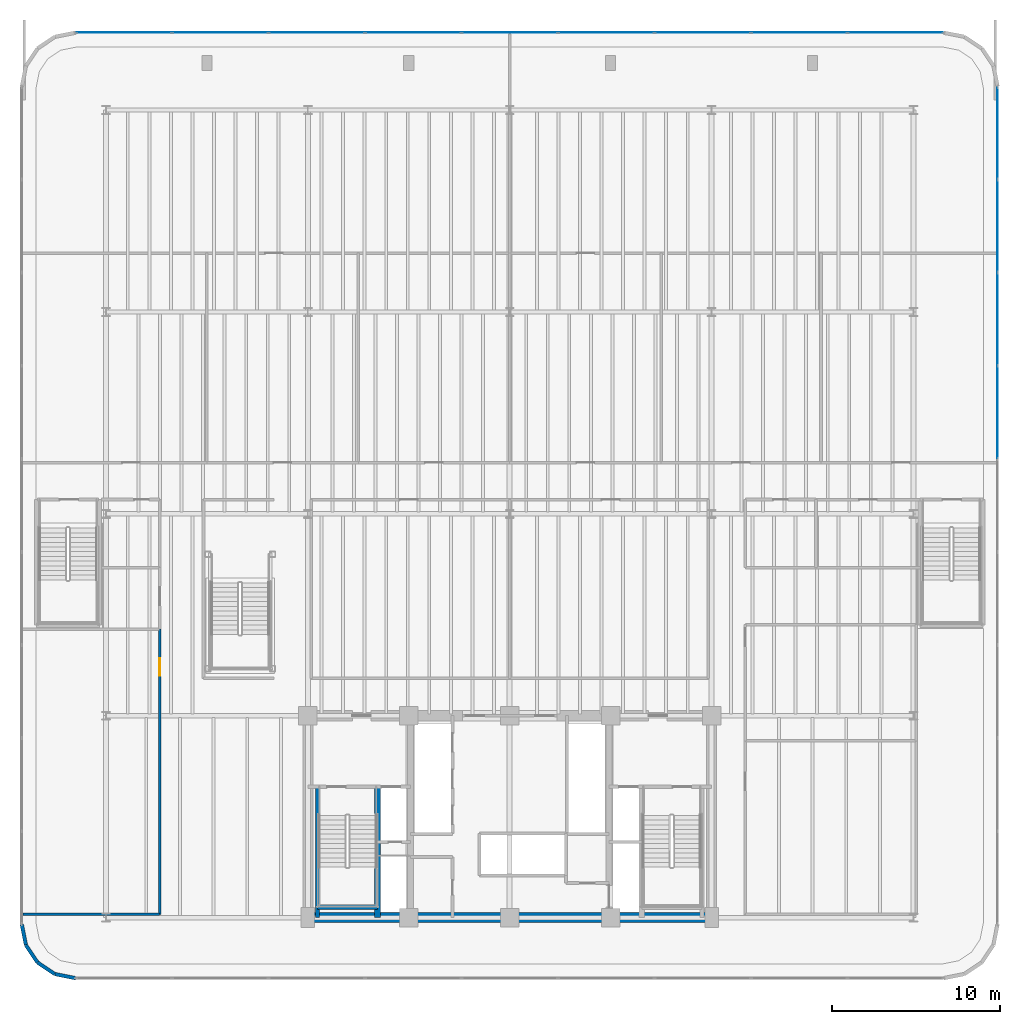
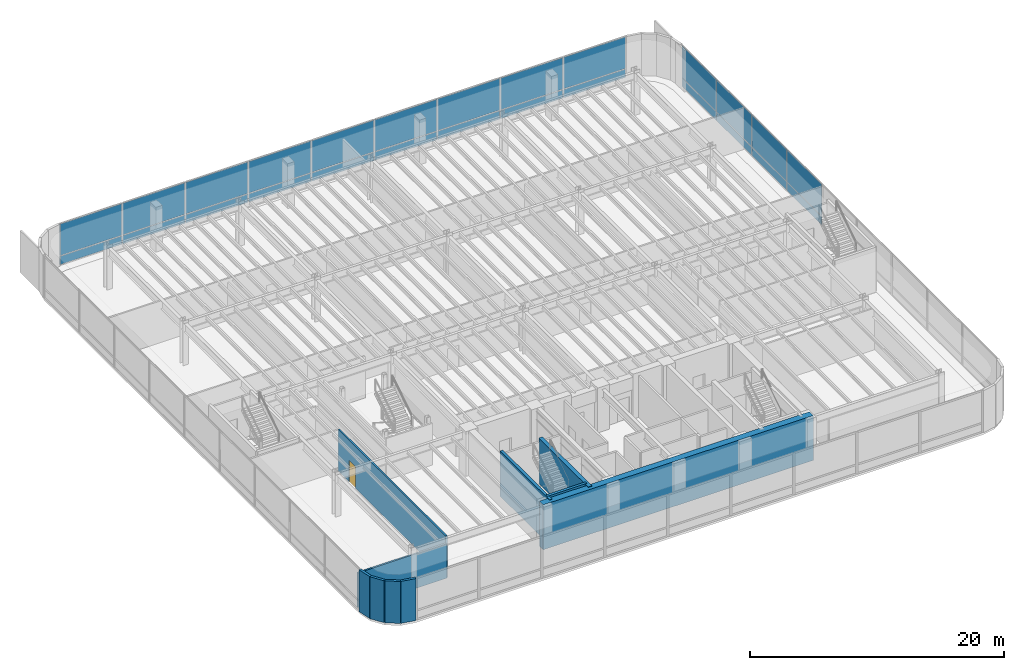
# One storey, part 11 of 18: 26 plates, 10 walls, 1 door, 1 opening, 2 elements without a shape of their own.
"""IFC4 building model written with IfcOpenShell, lengths in metres."""

from ifc_helpers import new_model, si_unit, direction, frame, frame_2d, origin, origin_2d, place, context, subcontext, project, spatial, rectangle, extrude, source, transform, mapped, material, layer, layer_set, type_object, element, fill, aggregate, save


model = new_model("IFC4")

# Units and contexts
model_context = context("Model", 3, precision=1e-05, world=origin(), true_north=direction((0.0, 1.0)))
body_context = subcontext(model_context, "Body", "Model", "MODEL_VIEW")
ifc_project = project(units=[si_unit("LENGTHUNIT", "METRE"), si_unit("AREAUNIT", "SQUARE_METRE"), si_unit("VOLUMEUNIT", "CUBIC_METRE"), si_unit("PLANEANGLEUNIT", "RADIAN"), si_unit("MASSUNIT", "GRAM", prefix="KILO")], contexts=[model_context])

# Site, building, storey
site_placement = place(None, origin())
site = spatial("IfcSite", under=ifc_project, at=site_placement, CompositionType="ELEMENT")
building_placement = place(site_placement, origin())
building = spatial("IfcBuilding", under=site, at=building_placement, Name="Brelvock Crest Care Tower", CompositionType="ELEMENT")
storey_placement = place(building_placement, frame((0.0, 0.0, 9.719970703125)))
storey = spatial("IfcBuildingStorey", under=building, at=storey_placement, Name="L02", CompositionType="ELEMENT", Elevation=9.719970703125)

# Curtain wall, plates
ifc_material_1 = material(Name="Dark Glass Double Glazed Low-E", Category="glass")
ifc_layer_1 = layer(ifc_material_1, 0.179931640625, Name="CWS-1")
ifc_layer_set_1 = layer_set([ifc_layer_1], Name="Dark Glass Double Glazed Low-E")
curtain_wall_type = type_object("IfcCurtainWallType", Name="CWS-1", PredefinedType="NOTDEFINED", material=ifc_layer_set_1)
curtain_wall_1_placement = place(storey_placement, origin())
curtain_wall_1 = element("IfcCurtainWall", 1, at=curtain_wall_1_placement, inside=storey, type_object=curtain_wall_type, Name="L02 Curtain Wall E14", PredefinedType="NOTDEFINED")
ifc_material_2 = material(Name="Dark Glass Shadow-Box Spandrel", Category="glass")
ifc_layer_2 = layer(ifc_material_2, 0.048095703125, Name="CWP-SP1")
ifc_layer_set_2 = layer_set([ifc_layer_2], Name="Dark Glass Shadow-Box Spandrel")
plate_type_1 = type_object("IfcPlateType", Name="CWP-SP1", PredefinedType="SHEET", material=ifc_layer_set_2)
shared_shape_1 = source(origin(), body_context, "Body", "SweptSolid", [
    extrude(rectangle(XDim=5.435791015625, YDim=0.035888671875, at=origin_2d()), origin(), (0.0, 0.0, 1.0), 0.802490234375),
])
plate_1_placement = place(storey_placement, frame((65.0, 52.6171875, 0.06494140625), z_axis=(0.0, 0.0, 1.0), x_axis=(0.0, -1.0, 0.0)))
plate_1 = element("IfcPlate", 2, at=plate_1_placement, type_object=plate_type_1, Name="CW-1 panel 1.1", PredefinedType="SHEET", context=body_context, shape_type="MappedRepresentation", body=[
    mapped(shared_shape_1, transform((0.0, 0.0, 0.0), x_axis=(1.0, 0.0, 0.0), y_axis=(0.0, 1.0, 0.0), z_axis=(0.0, 0.0, 1.0), scale=1.0)),
])
ifc_layer_3 = layer(ifc_material_1, 0.031982421875, Name="CWP-V1")
ifc_layer_set_3 = layer_set([ifc_layer_3], Name="Dark Glass Double Glazed Low-E")
plate_type_2 = type_object("IfcPlateType", Name="CWP-V1", PredefinedType="CURTAIN_PANEL", material=ifc_layer_set_3)
shared_shape_2 = source(origin(), body_context, "Body", "SweptSolid", [
    extrude(rectangle(XDim=5.435791015625, YDim=0.035888671875, at=origin_2d()), origin(), (0.0, 0.0, 1.0), 3.04248046875),
])
plate_2_placement = place(storey_placement, frame((65.0, 52.6171875, 0.9326171875), z_axis=(0.0, 0.0, 1.0), x_axis=(0.0, -1.0, 0.0)))
plate_2 = element("IfcPlate", 3, at=plate_2_placement, type_object=plate_type_2, Name="CW-1 panel 1.2", PredefinedType="CURTAIN_PANEL", context=body_context, shape_type="MappedRepresentation", body=[
    mapped(shared_shape_2, transform((0.0, 0.0, 0.0), x_axis=(1.0, 0.0, 0.0), y_axis=(0.0, 1.0, 0.0), z_axis=(0.0, 0.0, 1.0), scale=1.0)),
])
shared_shape_3 = source(origin(), body_context, "Body", "SweptSolid", [
    extrude(rectangle(XDim=5.46826171875, YDim=0.035888671875, at=origin_2d()), origin(), (0.0, 0.0, 1.0), 0.802490234375),
])
plate_3_placement = place(storey_placement, frame((65.0, 47.10009765625, 0.06494140625), z_axis=(0.0, 0.0, 1.0), x_axis=(0.0, -1.0, 0.0)))
plate_3 = element("IfcPlate", 4, at=plate_3_placement, type_object=plate_type_1, Name="CW-1 panel 2.1", PredefinedType="SHEET", context=body_context, shape_type="MappedRepresentation", body=[
    mapped(shared_shape_3, transform((0.0, 0.0, 0.0), x_axis=(1.0, 0.0, 0.0), y_axis=(0.0, 1.0, 0.0), z_axis=(0.0, 0.0, 1.0), scale=1.0)),
])
plate_4_placement = place(storey_placement, frame((65.0, 41.566650390625, 0.06494140625), z_axis=(0.0, 0.0, 1.0), x_axis=(0.0, -1.0, 0.0)))
plate_4 = element("IfcPlate", 5, at=plate_4_placement, type_object=plate_type_1, Name="CW-1 panel 3.1", PredefinedType="SHEET", context=body_context, shape_type="MappedRepresentation", body=[
    mapped(shared_shape_3, transform((0.0, 0.0, 0.0), x_axis=(1.0, 0.0, 0.0), y_axis=(0.0, 1.0, 0.0), z_axis=(0.0, 0.0, 1.0), scale=1.0)),
])
plate_5_placement = place(storey_placement, frame((65.0, 36.033447265625, 0.06494140625), z_axis=(0.0, 0.0, 1.0), x_axis=(0.0, -1.0, 0.0)))
plate_5 = element("IfcPlate", 6, at=plate_5_placement, type_object=plate_type_1, Name="CW-1 panel 4.1", PredefinedType="SHEET", context=body_context, shape_type="MappedRepresentation", body=[
    mapped(shared_shape_3, transform((0.0, 0.0, 0.0), x_axis=(1.0, 0.0, 0.0), y_axis=(0.0, 1.0, 0.0), z_axis=(0.0, 0.0, 1.0), scale=1.0)),
])
shared_shape_4 = source(origin(), body_context, "Body", "SweptSolid", [
    extrude(rectangle(XDim=5.46826171875, YDim=0.035888671875, at=origin_2d()), origin(), (0.0, 0.0, 1.0), 3.04248046875),
])
plate_6_placement = place(storey_placement, frame((65.0, 47.10009765625, 0.9326171875), z_axis=(0.0, 0.0, 1.0), x_axis=(0.0, -1.0, 0.0)))
plate_6 = element("IfcPlate", 7, at=plate_6_placement, type_object=plate_type_2, Name="CW-1 panel 2.2", PredefinedType="CURTAIN_PANEL", context=body_context, shape_type="MappedRepresentation", body=[
    mapped(shared_shape_4, transform((0.0, 0.0, 0.0), x_axis=(1.0, 0.0, 0.0), y_axis=(0.0, 1.0, 0.0), z_axis=(0.0, 0.0, 1.0), scale=1.0)),
])
plate_7_placement = place(storey_placement, frame((65.0, 41.566650390625, 0.9326171875), z_axis=(0.0, 0.0, 1.0), x_axis=(0.0, -1.0, 0.0)))
plate_7 = element("IfcPlate", 8, at=plate_7_placement, type_object=plate_type_2, Name="CW-1 panel 3.2", PredefinedType="CURTAIN_PANEL", context=body_context, shape_type="MappedRepresentation", body=[
    mapped(shared_shape_4, transform((0.0, 0.0, 0.0), x_axis=(1.0, 0.0, 0.0), y_axis=(0.0, 1.0, 0.0), z_axis=(0.0, 0.0, 1.0), scale=1.0)),
])
plate_8_placement = place(storey_placement, frame((65.0, 36.033447265625, 0.9326171875), z_axis=(0.0, 0.0, 1.0), x_axis=(0.0, -1.0, 0.0)))
plate_8 = element("IfcPlate", 9, at=plate_8_placement, type_object=plate_type_2, Name="CW-1 panel 4.2", PredefinedType="CURTAIN_PANEL", context=body_context, shape_type="MappedRepresentation", body=[
    mapped(shared_shape_4, transform((0.0, 0.0, 0.0), x_axis=(1.0, 0.0, 0.0), y_axis=(0.0, 1.0, 0.0), z_axis=(0.0, 0.0, 1.0), scale=1.0)),
])
aggregate(curtain_wall_1, [plate_1, plate_2, plate_3, plate_6, plate_4, plate_7, plate_5, plate_8])

curtain_wall_2_placement = place(storey_placement, origin())
curtain_wall_2 = element("IfcCurtainWall", 10, at=curtain_wall_2_placement, inside=storey, type_object=curtain_wall_type, Name="L02 Curtain Wall E09", PredefinedType="NOTDEFINED")
shared_shape_5 = source(origin(), body_context, "Body", "SweptSolid", [
    extrude(rectangle(XDim=5.6357421875, YDim=0.035888671875, at=origin_2d()), origin(), (0.0, 0.0, 1.0), 0.802490234375),
])
plate_9_placement = place(storey_placement, frame((13.0830078125, 58.60009765625, 0.06494140625), z_axis=(0.0, 0.0, 1.0), x_axis=(1.0, 0.0, 0.0)))
plate_9 = element("IfcPlate", 11, at=plate_9_placement, type_object=plate_type_1, Name="CW-1 panel 1.1", PredefinedType="SHEET", context=body_context, shape_type="MappedRepresentation", body=[
    mapped(shared_shape_5, transform((0.0, 0.0, 0.0), x_axis=(1.0, 0.0, 0.0), y_axis=(0.0, 1.0, 0.0), z_axis=(0.0, 0.0, 1.0), scale=1.0)),
])
plate_10_placement = place(storey_placement, frame((58.9169921875, 58.60009765625, 0.06494140625), z_axis=(0.0, 0.0, 1.0), x_axis=(1.0, 0.0, 0.0)))
plate_10 = element("IfcPlate", 12, at=plate_10_placement, type_object=plate_type_1, Name="CW-1 panel 9.1", PredefinedType="SHEET", context=body_context, shape_type="MappedRepresentation", body=[
    mapped(shared_shape_5, transform((0.0, 0.0, 0.0), x_axis=(1.0, 0.0, 0.0), y_axis=(0.0, 1.0, 0.0), z_axis=(0.0, 0.0, 1.0), scale=1.0)),
])
shared_shape_6 = source(origin(), body_context, "Body", "SweptSolid", [
    extrude(rectangle(XDim=5.6357421875, YDim=0.035888671875, at=origin_2d()), origin(), (0.0, 0.0, 1.0), 3.04248046875),
])
plate_11_placement = place(storey_placement, frame((13.0830078125, 58.60009765625, 0.9326171875), z_axis=(0.0, 0.0, 1.0), x_axis=(1.0, 0.0, 0.0)))
plate_11 = element("IfcPlate", 13, at=plate_11_placement, type_object=plate_type_2, Name="CW-1 panel 1.2", PredefinedType="CURTAIN_PANEL", context=body_context, shape_type="MappedRepresentation", body=[
    mapped(shared_shape_6, transform((0.0, 0.0, 0.0), x_axis=(1.0, 0.0, 0.0), y_axis=(0.0, 1.0, 0.0), z_axis=(0.0, 0.0, 1.0), scale=1.0)),
])
plate_12_placement = place(storey_placement, frame((58.9169921875, 58.60009765625, 0.9326171875), z_axis=(0.0, 0.0, 1.0), x_axis=(1.0, 0.0, 0.0)))
plate_12 = element("IfcPlate", 14, at=plate_12_placement, type_object=plate_type_2, Name="CW-1 panel 9.2", PredefinedType="CURTAIN_PANEL", context=body_context, shape_type="MappedRepresentation", body=[
    mapped(shared_shape_6, transform((0.0, 0.0, 0.0), x_axis=(1.0, 0.0, 0.0), y_axis=(0.0, 1.0, 0.0), z_axis=(0.0, 0.0, 1.0), scale=1.0)),
])
shared_shape_7 = source(origin(), body_context, "Body", "SweptSolid", [
    extrude(rectangle(XDim=5.668212890625, YDim=0.035888671875, at=origin_2d()), origin(), (0.0, 0.0, 1.0), 0.802490234375),
])
plate_13_placement = place(storey_placement, frame((18.800048828125, 58.60009765625, 0.06494140625), z_axis=(0.0, 0.0, 1.0), x_axis=(1.0, 0.0, 0.0)))
plate_13 = element("IfcPlate", 15, at=plate_13_placement, type_object=plate_type_1, Name="CW-1 panel 2.1", PredefinedType="SHEET", context=body_context, shape_type="MappedRepresentation", body=[
    mapped(shared_shape_7, transform((0.0, 0.0, 0.0), x_axis=(1.0, 0.0, 0.0), y_axis=(0.0, 1.0, 0.0), z_axis=(0.0, 0.0, 1.0), scale=1.0)),
])
plate_14_placement = place(storey_placement, frame((24.533447265625, 58.60009765625, 0.06494140625), z_axis=(0.0, 0.0, 1.0), x_axis=(1.0, 0.0, 0.0)))
plate_14 = element("IfcPlate", 16, at=plate_14_placement, type_object=plate_type_1, Name="CW-1 panel 3.1", PredefinedType="SHEET", context=body_context, shape_type="MappedRepresentation", body=[
    mapped(shared_shape_7, transform((0.0, 0.0, 0.0), x_axis=(1.0, 0.0, 0.0), y_axis=(0.0, 1.0, 0.0), z_axis=(0.0, 0.0, 1.0), scale=1.0)),
])
plate_15_placement = place(storey_placement, frame((30.2666015625, 58.60009765625, 0.06494140625), z_axis=(0.0, 0.0, 1.0), x_axis=(1.0, 0.0, 0.0)))
plate_15 = element("IfcPlate", 17, at=plate_15_placement, type_object=plate_type_1, Name="CW-1 panel 4.1", PredefinedType="SHEET", context=body_context, shape_type="MappedRepresentation", body=[
    mapped(shared_shape_7, transform((0.0, 0.0, 0.0), x_axis=(1.0, 0.0, 0.0), y_axis=(0.0, 1.0, 0.0), z_axis=(0.0, 0.0, 1.0), scale=1.0)),
])
plate_16_placement = place(storey_placement, frame((36.0, 58.60009765625, 0.06494140625), z_axis=(0.0, 0.0, 1.0), x_axis=(1.0, 0.0, 0.0)))
plate_16 = element("IfcPlate", 18, at=plate_16_placement, type_object=plate_type_1, Name="CW-1 panel 5.1", PredefinedType="SHEET", context=body_context, shape_type="MappedRepresentation", body=[
    mapped(shared_shape_7, transform((0.0, 0.0, 0.0), x_axis=(1.0, 0.0, 0.0), y_axis=(0.0, 1.0, 0.0), z_axis=(0.0, 0.0, 1.0), scale=1.0)),
])
plate_17_placement = place(storey_placement, frame((41.7333984375, 58.60009765625, 0.06494140625), z_axis=(0.0, 0.0, 1.0), x_axis=(1.0, 0.0, 0.0)))
plate_17 = element("IfcPlate", 19, at=plate_17_placement, type_object=plate_type_1, Name="CW-1 panel 6.1", PredefinedType="SHEET", context=body_context, shape_type="MappedRepresentation", body=[
    mapped(shared_shape_7, transform((0.0, 0.0, 0.0), x_axis=(1.0, 0.0, 0.0), y_axis=(0.0, 1.0, 0.0), z_axis=(0.0, 0.0, 1.0), scale=1.0)),
])
plate_18_placement = place(storey_placement, frame((47.466552734375, 58.60009765625, 0.06494140625), z_axis=(0.0, 0.0, 1.0), x_axis=(1.0, 0.0, 0.0)))
plate_18 = element("IfcPlate", 20, at=plate_18_placement, type_object=plate_type_1, Name="CW-1 panel 7.1", PredefinedType="SHEET", context=body_context, shape_type="MappedRepresentation", body=[
    mapped(shared_shape_7, transform((0.0, 0.0, 0.0), x_axis=(1.0, 0.0, 0.0), y_axis=(0.0, 1.0, 0.0), z_axis=(0.0, 0.0, 1.0), scale=1.0)),
])
plate_19_placement = place(storey_placement, frame((53.199951171875, 58.60009765625, 0.06494140625), z_axis=(0.0, 0.0, 1.0), x_axis=(1.0, 0.0, 0.0)))
plate_19 = element("IfcPlate", 21, at=plate_19_placement, type_object=plate_type_1, Name="CW-1 panel 8.1", PredefinedType="SHEET", context=body_context, shape_type="MappedRepresentation", body=[
    mapped(shared_shape_7, transform((0.0, 0.0, 0.0), x_axis=(1.0, 0.0, 0.0), y_axis=(0.0, 1.0, 0.0), z_axis=(0.0, 0.0, 1.0), scale=1.0)),
])
shared_shape_8 = source(origin(), body_context, "Body", "SweptSolid", [
    extrude(rectangle(XDim=5.668212890625, YDim=0.035888671875, at=origin_2d()), origin(), (0.0, 0.0, 1.0), 3.04248046875),
])
plate_20_placement = place(storey_placement, frame((18.800048828125, 58.60009765625, 0.9326171875), z_axis=(0.0, 0.0, 1.0), x_axis=(1.0, 0.0, 0.0)))
plate_20 = element("IfcPlate", 22, at=plate_20_placement, type_object=plate_type_2, Name="CW-1 panel 2.2", PredefinedType="CURTAIN_PANEL", context=body_context, shape_type="MappedRepresentation", body=[
    mapped(shared_shape_8, transform((0.0, 0.0, 0.0), x_axis=(1.0, 0.0, 0.0), y_axis=(0.0, 1.0, 0.0), z_axis=(0.0, 0.0, 1.0), scale=1.0)),
])
plate_21_placement = place(storey_placement, frame((24.533447265625, 58.60009765625, 0.9326171875), z_axis=(0.0, 0.0, 1.0), x_axis=(1.0, 0.0, 0.0)))
plate_21 = element("IfcPlate", 23, at=plate_21_placement, type_object=plate_type_2, Name="CW-1 panel 3.2", PredefinedType="CURTAIN_PANEL", context=body_context, shape_type="MappedRepresentation", body=[
    mapped(shared_shape_8, transform((0.0, 0.0, 0.0), x_axis=(1.0, 0.0, 0.0), y_axis=(0.0, 1.0, 0.0), z_axis=(0.0, 0.0, 1.0), scale=1.0)),
])
plate_22_placement = place(storey_placement, frame((30.2666015625, 58.60009765625, 0.9326171875), z_axis=(0.0, 0.0, 1.0), x_axis=(1.0, 0.0, 0.0)))
plate_22 = element("IfcPlate", 24, at=plate_22_placement, type_object=plate_type_2, Name="CW-1 panel 4.2", PredefinedType="CURTAIN_PANEL", context=body_context, shape_type="MappedRepresentation", body=[
    mapped(shared_shape_8, transform((0.0, 0.0, 0.0), x_axis=(1.0, 0.0, 0.0), y_axis=(0.0, 1.0, 0.0), z_axis=(0.0, 0.0, 1.0), scale=1.0)),
])
plate_23_placement = place(storey_placement, frame((36.0, 58.60009765625, 0.9326171875), z_axis=(0.0, 0.0, 1.0), x_axis=(1.0, 0.0, 0.0)))
plate_23 = element("IfcPlate", 25, at=plate_23_placement, type_object=plate_type_2, Name="CW-1 panel 5.2", PredefinedType="CURTAIN_PANEL", context=body_context, shape_type="MappedRepresentation", body=[
    mapped(shared_shape_8, transform((0.0, 0.0, 0.0), x_axis=(1.0, 0.0, 0.0), y_axis=(0.0, 1.0, 0.0), z_axis=(0.0, 0.0, 1.0), scale=1.0)),
])
plate_24_placement = place(storey_placement, frame((41.7333984375, 58.60009765625, 0.9326171875), z_axis=(0.0, 0.0, 1.0), x_axis=(1.0, 0.0, 0.0)))
plate_24 = element("IfcPlate", 26, at=plate_24_placement, type_object=plate_type_2, Name="CW-1 panel 6.2", PredefinedType="CURTAIN_PANEL", context=body_context, shape_type="MappedRepresentation", body=[
    mapped(shared_shape_8, transform((0.0, 0.0, 0.0), x_axis=(1.0, 0.0, 0.0), y_axis=(0.0, 1.0, 0.0), z_axis=(0.0, 0.0, 1.0), scale=1.0)),
])
plate_25_placement = place(storey_placement, frame((47.466552734375, 58.60009765625, 0.9326171875), z_axis=(0.0, 0.0, 1.0), x_axis=(1.0, 0.0, 0.0)))
plate_25 = element("IfcPlate", 27, at=plate_25_placement, type_object=plate_type_2, Name="CW-1 panel 7.2", PredefinedType="CURTAIN_PANEL", context=body_context, shape_type="MappedRepresentation", body=[
    mapped(shared_shape_8, transform((0.0, 0.0, 0.0), x_axis=(1.0, 0.0, 0.0), y_axis=(0.0, 1.0, 0.0), z_axis=(0.0, 0.0, 1.0), scale=1.0)),
])
plate_26_placement = place(storey_placement, frame((53.199951171875, 58.60009765625, 0.9326171875), z_axis=(0.0, 0.0, 1.0), x_axis=(1.0, 0.0, 0.0)))
plate_26 = element("IfcPlate", 28, at=plate_26_placement, type_object=plate_type_2, Name="CW-1 panel 8.2", PredefinedType="CURTAIN_PANEL", context=body_context, shape_type="MappedRepresentation", body=[
    mapped(shared_shape_8, transform((0.0, 0.0, 0.0), x_axis=(1.0, 0.0, 0.0), y_axis=(0.0, 1.0, 0.0), z_axis=(0.0, 0.0, 1.0), scale=1.0)),
])
aggregate(curtain_wall_2, [plate_9, plate_11, plate_13, plate_20, plate_14, plate_21, plate_15, plate_22, plate_16, plate_23, plate_17, plate_24, plate_18, plate_25, plate_19, plate_26, plate_10, plate_12])

# Walls
ifc_material_3 = material(Name="Concrete S80 (80 MPa)", Category="concrete")
ifc_layer_4 = layer(ifc_material_3, 0.60009765625, Name="WL-CS1")
ifc_layer_set_4 = layer_set([ifc_layer_4], Name="Concrete S80 (80 MPa)")
wall_type_1 = type_object("IfcWallType", Name="WL-CS1", PredefinedType="SHEAR", material=ifc_layer_set_4)
wall_1_placement = place(storey_placement, frame((48.300048828125, 6.0, 0.0), z_axis=(0.0, 0.0, 1.0), x_axis=(-1.0, 0.0, 0.0)))
element("IfcWall", 29, at=wall_1_placement, inside=storey, type_object=wall_type_1, Name="L02 Core South Shear Wall", PredefinedType="SHEAR", context=body_context, shape_type="SweptSolid", body=[
    extrude(rectangle(XDim=24.60009765625, YDim=0.60009765625, at=frame_2d((12.300048828125, 0.0))), origin(), (0.0, 0.0, 1.0), 4.320068359375),
])
ifc_layer_5 = layer(ifc_material_3, 0.35009765625, Name="WL-CS5")
ifc_layer_set_5 = layer_set([ifc_layer_5], Name="Concrete S80 (80 MPa)")
wall_type_2 = type_object("IfcWallType", Name="WL-CS5", PredefinedType="SHEAR", material=ifc_layer_set_5)
wall_2_placement = place(storey_placement, frame((28.14990234375, 6.0, 0.0), z_axis=(0.0, 0.0, 1.0), x_axis=(0.0, 1.0, 0.0)))
element("IfcWall", 30, at=wall_2_placement, inside=storey, type_object=wall_type_2, Name="L02 Core Stair ST-1 East Shear Wall", PredefinedType="SHEAR", context=body_context, shape_type="SweptSolid", body=[
    extrude(rectangle(XDim=7.780029296875, YDim=0.35009765625, at=frame_2d((3.89013671875, 0.0))), origin(), (0.0, 0.0, 1.0), 4.360107421875),
])
ifc_layer_6 = layer(ifc_material_3, 0.25, Name="WL-CS6")
ifc_layer_set_6 = layer_set([ifc_layer_6], Name="Concrete S80 (80 MPa)")
wall_type_3 = type_object("IfcWallType", Name="WL-CS6", PredefinedType="SHEAR", material=ifc_layer_set_6)
wall_3_placement = place(storey_placement, frame((24.580078125, 6.0, 0.0), z_axis=(0.0, 0.0, 1.0), x_axis=(0.0, 1.0, 0.0)))
element("IfcWall", 31, at=wall_3_placement, inside=storey, type_object=wall_type_3, Name="L02 Core Stair ST-1 West Shear Wall", PredefinedType="SHEAR", context=body_context, shape_type="SweptSolid", body=[
    extrude(rectangle(XDim=7.780029296875, YDim=0.25, at=frame_2d((3.89013671875, 0.0))), origin(), (0.0, 0.0, 1.0), 4.360107421875),
])
wall_4_placement = place(storey_placement, frame((24.580078125, 6.6201171875, 0.0), z_axis=(0.0, 0.0, 1.0), x_axis=(1.0, 0.0, 0.0)))
element("IfcWall", 32, at=wall_4_placement, inside=storey, type_object=wall_type_3, Name="L02 Core Stair ST-1 South Shear Wall", PredefinedType="SHEAR", context=body_context, shape_type="SweptSolid", body=[
    extrude(rectangle(XDim=3.56982421875, YDim=0.25, at=frame_2d((1.784912109375, 0.0))), origin(), (0.0, 0.0, 1.0), 4.360107421875),
])
ifc_material_4 = material(Name="Precast concrete N40 (40 MPa)", Category="concrete")
ifc_layer_7 = layer(ifc_material_4, 0.215087890625, Name="WL-EX2")
ifc_layer_set_7 = layer_set([ifc_layer_7], Name="Precast concrete N40 (40 MPa)")
wall_type_4 = type_object("IfcWallType", Name="WL-EX2", PredefinedType="SOLIDWALL", material=ifc_layer_set_7)
for number, where, z_axis, x_axis, name in (
    (33, (10.199951171875, 2.39990234375, 0.0), (0.0, 0.0, 1.0), (-0.980775717779, 0.195138390419, 0.0), "L02 Rounded Corner Wall 00"),
    (34, (8.975341796875, 2.6435546875, 0.0), (0.0, 0.0, 1.0), (-0.831387912822, 0.555692485475, 0.0), "L02 Rounded Corner Wall 01"),
    (35, (7.937255859375, 3.33740234375, 0.0), (0.0, 0.0, 1.0), (-0.555557312883, 0.831478245117, 0.0), "L02 Rounded Corner Wall 02"),
    (36, (7.24365234375, 4.37548828125, 0.0), (0.0, 0.0, 1.0), (-0.195138390419, 0.980775717779, 0.0), "L02 Rounded Corner Wall 03"),
):
    element("IfcWall", number, at=place(storey_placement, frame(where, z_axis=z_axis, x_axis=x_axis)), inside=storey, type_object=wall_type_4, Name=name, PredefinedType="SOLIDWALL", context=body_context, shape_type="SweptSolid", body=[
        extrude(rectangle(XDim=1.24853515625, YDim=0.215087890625, at=frame_2d((0.624267578125, 0.0))), origin(), (0.0, 0.0, 1.0), 4.0400390625),
    ])
ifc_material_5 = material(Name="Masonry Blockwork Acoustic Partition", Category="masonry")
ifc_layer_8 = layer(ifc_material_5, 0.14990234375, Name="WL-INT1")
ifc_layer_set_8 = layer_set([ifc_layer_8], Name="Masonry Blockwork Acoustic Partition")
wall_type_5 = type_object("IfcWallType", Name="WL-INT1", PredefinedType="PARTITIONING", material=ifc_layer_set_8)
wall_5_placement = place(storey_placement, frame((7.080078125, 6.199951171875, 0.0), z_axis=(0.0, 0.0, 1.0), x_axis=(1.0, 0.0, 0.0)))
element("IfcWall", 37, at=wall_5_placement, inside=storey, type_object=wall_type_5, Name="L02 Interior Wall WL-BX-L02-CL1A-S", PredefinedType="PARTITIONING", context=body_context, shape_type="SweptSolid", body=[
    extrude(rectangle(XDim=8.119873046875, YDim=0.14990234375, at=frame_2d((4.06005859375, 0.0))), origin(), (0.0, 0.0, 1.0), 3.324951171875),
])

# Wall, opening, door
wall_6_placement = place(storey_placement, frame((15.199951171875, 6.199951171875, 0.0), z_axis=(0.0, 0.0, 1.0), x_axis=(0.0, 1.0, 0.0)))
wall_6 = element("IfcWall", 38, at=wall_6_placement, inside=storey, type_object=wall_type_5, Name="L02 Interior Wall WL-RM-L02-CL1A", PredefinedType="PARTITIONING", context=body_context, shape_type="SweptSolid", body=[
    extrude(rectangle(XDim=16.949951171875, YDim=0.14990234375, at=frame_2d((8.47509765625, 0.0))), origin(), (0.0, 0.0, 1.0), 4.010009765625),
])
opening_placement = place(wall_6_placement, frame((14.175048828125, 0.0, 0.0)))
opening = element("IfcOpeningElement", 39, at=opening_placement, cuts=wall_6, Name="Opening CLD-1", PredefinedType="OPENING", context=body_context, shape_type="SweptSolid", body=[
    extrude(rectangle(XDim=1.050048828125, YDim=2.10009765625, at=origin_2d()), frame((0.52490234375, 0.0849609375, 1.050048828125), z_axis=(0.0, -1.0, 0.0), x_axis=(1.0, 0.0, 0.0)), (0.0, 0.0, 1.0), 0.169921875),
])
ifc_material_6 = material(Name="Engineered Hardwood Timber", Category="wood")
door_type = type_object("IfcDoorType", Name="DR-CLN1", OperationType="NOTDEFINED", PredefinedType="DOOR", material=ifc_material_6)
shared_shape_9 = source(origin(), body_context, "Body", "SweptSolid", [
    extrude(rectangle(XDim=1.050048828125, YDim=2.10009765625, at=origin_2d()), frame((0.52490234375, 0.02490234375, 1.050048828125), z_axis=(0.0, -1.0, 0.0), x_axis=(1.0, 0.0, 0.0)), (0.0, 0.0, 1.0), 0.050048828125),
])
door_placement = place(opening_placement, origin())
door = element("IfcDoor", 40, at=door_placement, inside=storey, type_object=door_type, Name="L02 Geriatric Specialist Clinic South Door CL1A", OperationType="SINGLE_SWING_LEFT", OverallHeight=2.10009765625, OverallWidth=1.050048828125, PredefinedType="DOOR", context=body_context, shape_type="MappedRepresentation", body=[
    mapped(shared_shape_9, transform((0.0, 0.0, 0.0), x_axis=(1.0, 0.0, 0.0), y_axis=(0.0, 1.0, 0.0), z_axis=(0.0, 0.0, 1.0), scale=1.0)),
])
fill(opening, door)

save(model, "model.ifc")
